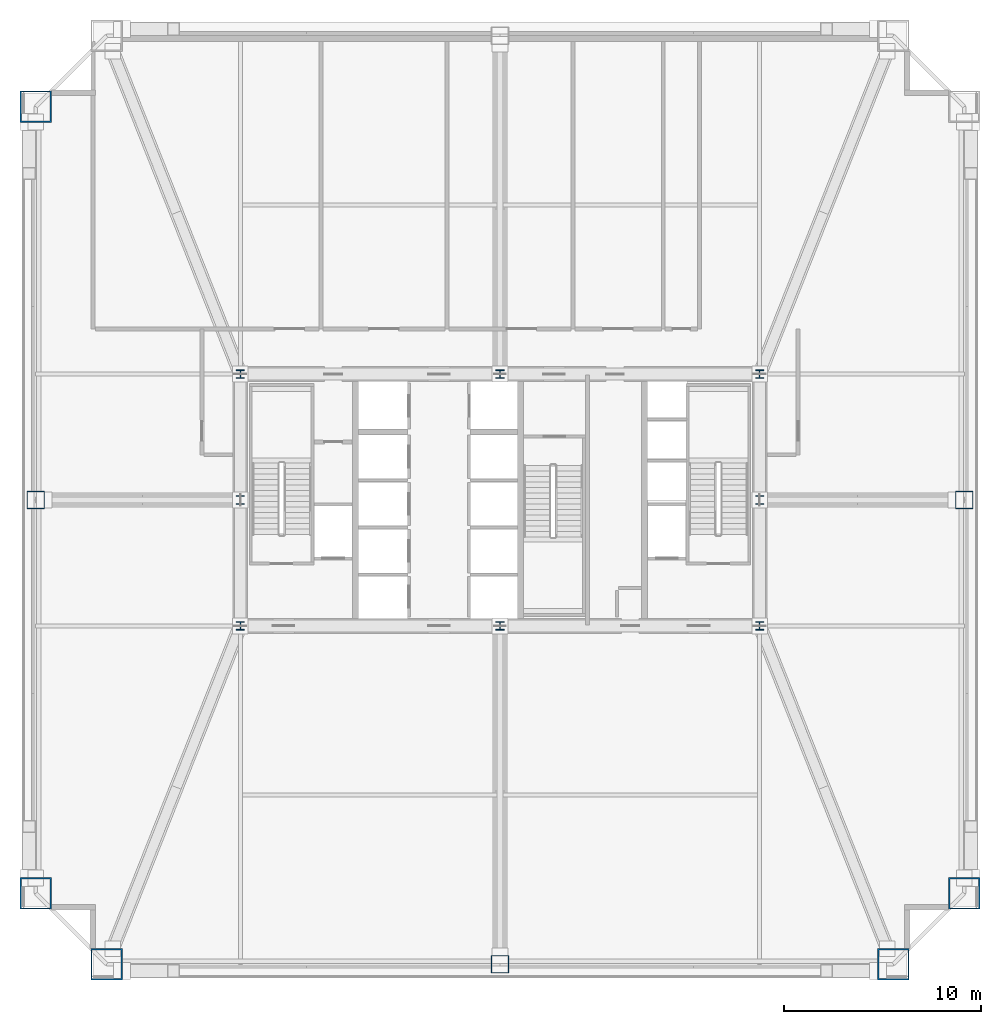
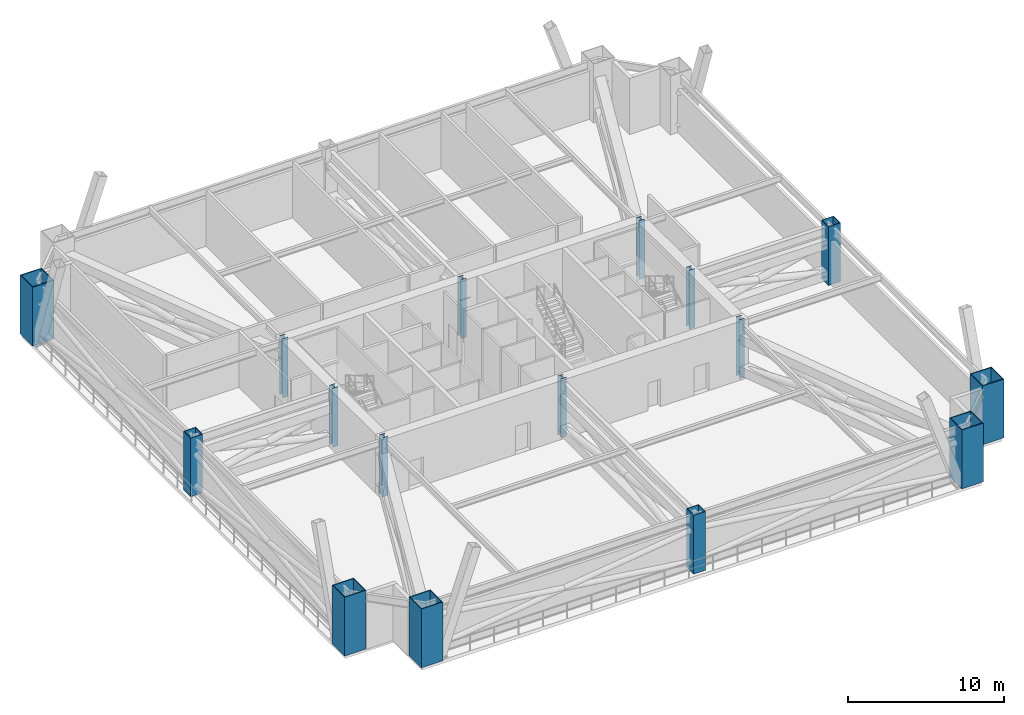
# One storey, part 1 of 10: 16 columns.
"""IFC4 building model written with IfcOpenShell, lengths in metres."""

from ifc_helpers import new_model, si_unit, direction, frame, origin, origin_2d, place, context, subcontext, project, spatial, hollow_rectangle, i_section, extrude, source, transform, mapped, material, material_profile, profile_set, type_object, element, save


model = new_model("IFC4")

# Units and contexts
model_context = context("Model", 3, precision=1e-05, world=origin(), true_north=direction((0.0, 1.0)))
body_context = subcontext(model_context, "Body", "Model", "MODEL_VIEW")
ifc_project = project(units=[si_unit("LENGTHUNIT", "METRE"), si_unit("AREAUNIT", "SQUARE_METRE"), si_unit("VOLUMEUNIT", "CUBIC_METRE"), si_unit("PLANEANGLEUNIT", "RADIAN"), si_unit("MASSUNIT", "GRAM", prefix="KILO"), si_unit("THERMODYNAMICTEMPERATUREUNIT", "KELVIN"), si_unit("POWERUNIT", "WATT")], contexts=[model_context])

# Site, building, storey
site_placement = place(None, origin())
site = spatial("IfcSite", under=ifc_project, at=site_placement, CompositionType="ELEMENT")
building_placement = place(site_placement, origin())
building = spatial("IfcBuilding", under=site, at=building_placement, Name="Yuzanri Waterfront Tower", CompositionType="ELEMENT")
storey_placement = place(building_placement, frame((0.0, 0.0, 129.800048828125)))
storey = spatial("IfcBuildingStorey", under=building, at=storey_placement, Name="L34", CompositionType="ELEMENT", Elevation=129.800048828125)

# Columns
ifc_material_1 = material(Name="Steel Q355B", Category="steel")
ifc_material_profile_1 = material_profile(ifc_material_1, i_section(OverallWidth=0.406982421875, OverallDepth=0.427978515625, WebThickness=0.02001953125, FlangeThickness=0.034912109375, at=origin_2d()), Name="HW 428x407x20x35")
ifc_profile_set_1 = profile_set([ifc_material_profile_1], Name="Steel Q355B")
column_type_1 = type_object("IfcColumnType", Name="Core Post Q355B HW 428x407x20x35", PredefinedType="COLUMN", material=ifc_profile_set_1)
shared_shape_1 = source(origin(), body_context, "Body", "SweptSolid", [
    extrude(i_section(OverallWidth=0.406982421875, OverallDepth=0.427978515625, WebThickness=0.02001953125, FlangeThickness=0.034912109375, at=origin_2d()), origin(), (0.0, 0.0, 1.0), 4.599853515625),
])
for number, where, z_axis, x_axis, name in (
    (1, (23.800048828125, 19.39990234375, 0.0), (0.0, 0.0, 1.0), (1.0, 0.0, 0.0), "L34 Core Boundary Column CP1"),
    (2, (37.0, 19.39990234375, 0.0), (0.0, 0.0, 1.0), (1.0, 0.0, 0.0), "L34 Core Boundary Column CP2"),
    (3, (50.199951171875, 19.39990234375, 0.0), (0.0, 0.0, 1.0), (1.0, 0.0, 0.0), "L34 Core Boundary Column CP3"),
    (4, (23.800048828125, 25.800048828125, 0.0), (0.0, 0.0, 1.0), (1.0, 0.0, 0.0), "L34 Core Boundary Column CP4"),
    (5, (50.199951171875, 25.800048828125, 0.0), (0.0, 0.0, 1.0), (1.0, 0.0, 0.0), "L34 Core Boundary Column CP5"),
    (6, (23.800048828125, 32.199951171875, 0.0), (0.0, 0.0, 1.0), (1.0, 0.0, 0.0), "L34 Core Boundary Column CP6"),
    (7, (37.0, 32.199951171875, 0.0), (0.0, 0.0, 1.0), (1.0, 0.0, 0.0), "L34 Core Boundary Column CP7"),
    (8, (50.199951171875, 32.199951171875, 0.0), (0.0, 0.0, 1.0), (1.0, 0.0, 0.0), "L34 Core Boundary Column CP8"),
):
    element("IfcColumn", number, at=place(storey_placement, frame(where, z_axis=z_axis, x_axis=x_axis)), inside=storey, type_object=column_type_1, Name=name, PredefinedType="COLUMN", context=body_context, shape_type="MappedRepresentation", body=[
        mapped(shared_shape_1, transform((0.0, 0.0, 0.0), scale=1.0)),
    ])
ifc_material_2 = material(Name="Steel Q420GJC", Category="steel")
ifc_material_profile_2 = material_profile(ifc_material_2, hollow_rectangle(XDim=1.60009765625, YDim=1.60009765625, WallThickness=0.070068359375, at=origin_2d()), Name="RHS 1600x1600x70")
ifc_profile_set_2 = profile_set([ifc_material_profile_2], Name="Steel Q420GJC")
column_type_2 = type_object("IfcColumnType", Name="Mega Column Q420GJC RHS 1600x1600x70", PredefinedType="COLUMN", material=ifc_profile_set_2)
shared_shape_2 = source(origin(), body_context, "Body", "SweptSolid", [
    extrude(hollow_rectangle(XDim=1.60009765625, YDim=1.60009765625, WallThickness=0.070068359375, at=origin_2d()), origin(), (0.0, 0.0, 1.0), 4.599853515625),
])
for number, where, z_axis, x_axis, name in (
    (9, (17.0, 2.199951171875, 0.0), (0.0, 0.0, 1.0), (1.0, 0.0, 0.0), "L34 Perimeter Mega Column S1"),
    (10, (57.0, 2.199951171875, 0.0), (0.0, 0.0, 1.0), (1.0, 0.0, 0.0), "L34 Perimeter Mega Column S3"),
    (11, (13.39990234375, 5.800048828125, 0.0), (0.0, 0.0, 1.0), (1.0, 0.0, 0.0), "L34 Perimeter Mega Column W1"),
    (12, (13.39990234375, 45.800048828125, 0.0), (0.0, 0.0, 1.0), (1.0, 0.0, 0.0), "L34 Perimeter Mega Column W3"),
    (13, (60.60009765625, 5.800048828125, 0.0), (0.0, 0.0, 1.0), (1.0, 0.0, 0.0), "L34 Perimeter Mega Column E1"),
):
    element("IfcColumn", number, at=place(storey_placement, frame(where, z_axis=z_axis, x_axis=x_axis)), inside=storey, type_object=column_type_2, Name=name, PredefinedType="COLUMN", context=body_context, shape_type="MappedRepresentation", body=[
        mapped(shared_shape_2, transform((0.0, 0.0, 0.0), scale=1.0)),
    ])
ifc_material_3 = material(Name="Steel Q390GJC", Category="steel")
ifc_material_profile_3 = material_profile(ifc_material_3, hollow_rectangle(XDim=0.89990234375, YDim=0.89990234375, WallThickness=0.0419921875, at=origin_2d()), Name="RHS 900x900x42")
ifc_profile_set_3 = profile_set([ifc_material_profile_3], Name="Steel Q390GJC")
column_type_3 = type_object("IfcColumnType", Name="Frame Column Q390GJC RHS 900x900x42", PredefinedType="COLUMN", material=ifc_profile_set_3)
shared_shape_3 = source(origin(), body_context, "Body", "SweptSolid", [
    extrude(hollow_rectangle(XDim=0.89990234375, YDim=0.89990234375, WallThickness=0.0419921875, at=origin_2d()), origin(), (0.0, 0.0, 1.0), 4.599853515625),
])
for number, where, z_axis, x_axis, name in (
    (14, (37.0, 2.199951171875, 0.0), (0.0, 0.0, 1.0), (1.0, 0.0, 0.0), "L34 Perimeter Frame Column S2"),
    (15, (13.39990234375, 25.800048828125, 0.0), (0.0, 0.0, 1.0), (1.0, 0.0, 0.0), "L34 Perimeter Frame Column W2"),
    (16, (60.60009765625, 25.800048828125, 0.0), (0.0, 0.0, 1.0), (1.0, 0.0, 0.0), "L34 Perimeter Frame Column E2"),
):
    element("IfcColumn", number, at=place(storey_placement, frame(where, z_axis=z_axis, x_axis=x_axis)), inside=storey, type_object=column_type_3, Name=name, PredefinedType="COLUMN", context=body_context, shape_type="MappedRepresentation", body=[
        mapped(shared_shape_3, transform((0.0, 0.0, 0.0), scale=1.0)),
    ])

save(model, "model.ifc")
